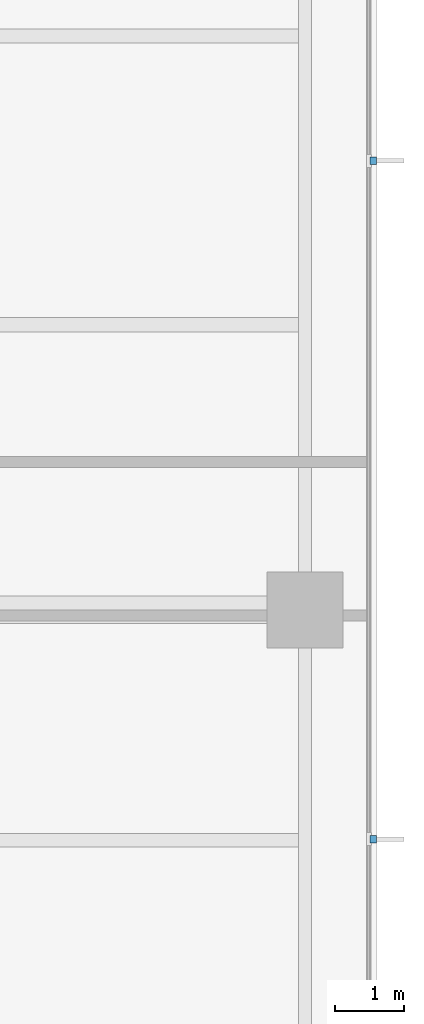
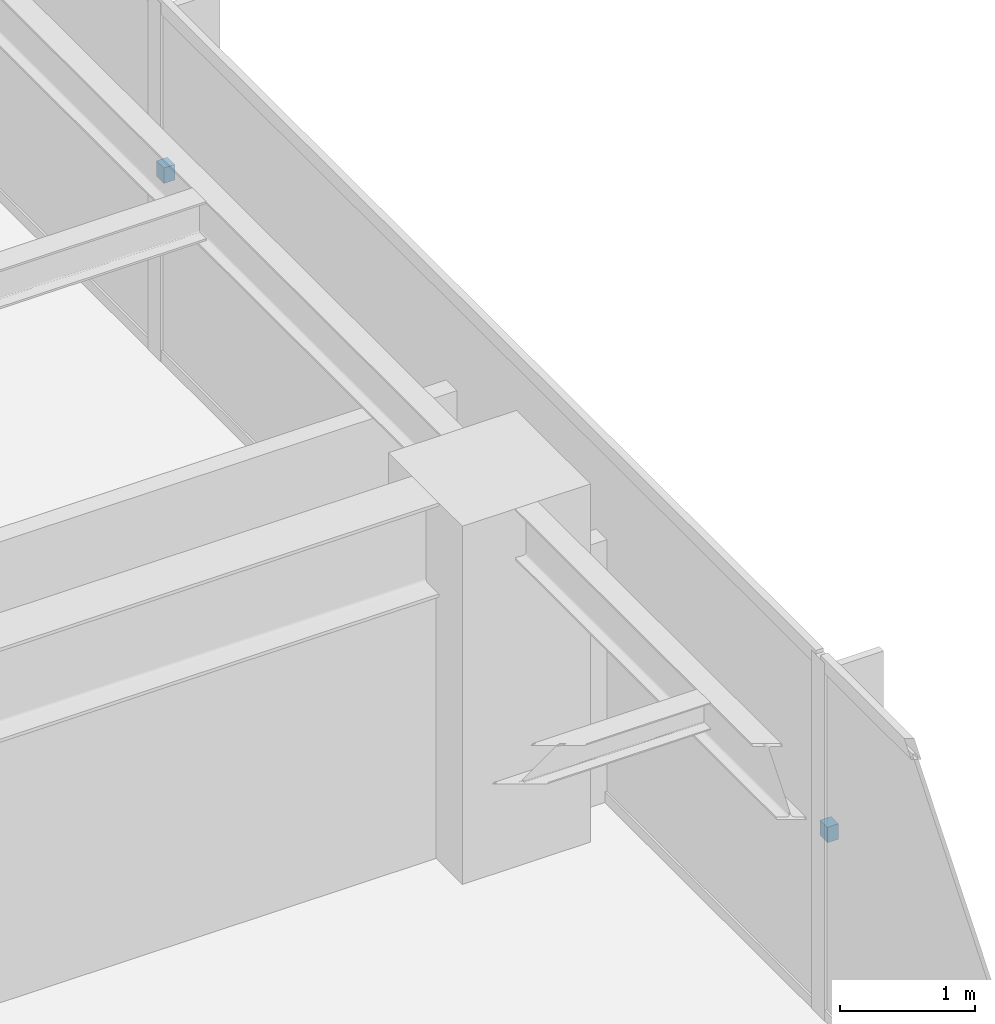
# One storey, part 12 of 14: 2 discrete accessories.
"""IFC4 building model written with IfcOpenShell, lengths in metres."""

from ifc_helpers import new_model, si_unit, direction, frame, origin, place, context, subcontext, project, spatial, polyline, outline, extrude, material, type_object, element, save


model = new_model("IFC4")

# Units and contexts
model_context = context("Model", 3, precision=1e-05, world=origin(), true_north=direction((0.0, 1.0)))
body_context = subcontext(model_context, "Body", "Model", "MODEL_VIEW")
ifc_project = project(units=[si_unit("LENGTHUNIT", "METRE"), si_unit("AREAUNIT", "SQUARE_METRE"), si_unit("VOLUMEUNIT", "CUBIC_METRE"), si_unit("PLANEANGLEUNIT", "RADIAN"), si_unit("MASSUNIT", "GRAM", prefix="KILO")], contexts=[model_context])

# Site, building, storey
site_placement = place(None, origin())
site = spatial("IfcSite", under=ifc_project, at=site_placement, CompositionType="ELEMENT")
building_placement = place(site_placement, origin())
building = spatial("IfcBuilding", under=site, at=building_placement, Name="Qalmaran Belvedere Hotel", CompositionType="ELEMENT")
storey_placement = place(building_placement, frame((0.0, 0.0, 152.60009765625)))
storey = spatial("IfcBuildingStorey", under=building, at=storey_placement, Name="L38", CompositionType="ELEMENT", Elevation=152.60009765625)

# Discrete accessories
ifc_material = material(Name="Stainless Steel 1.4401", Category="steel")
discrete_accessory_type = type_object("IfcDiscreteAccessoryType", Name="BRK-FIN-SS316", PredefinedType="BRACKET", material=ifc_material)
discrete_accessory_1_placement = place(storey_placement, frame((0.0, 0.0, 1.574951171875)))
element("IfcDiscreteAccessory", 1, at=discrete_accessory_1_placement, inside=storey, type_object=discrete_accessory_type, Name="L38 Fin Bracket 1", PredefinedType="BRACKET", context=body_context, shape_type="SweptSolid", body=[
    extrude(outline(polyline([(56.094970703125, 17.11181640625), (56.18994140625, 17.11181640625), (56.18994140625, 17.2216796875), (56.094970703125, 17.2216796875), (56.094970703125, 17.11181640625)])), origin(), (0.0, 0.0, 1.0), 0.139892578125),
])
discrete_accessory_2_placement = place(storey_placement, frame((0.0, 0.0, 1.574951171875)))
element("IfcDiscreteAccessory", 2, at=discrete_accessory_2_placement, inside=storey, type_object=discrete_accessory_type, Name="L38 Fin Bracket 2", PredefinedType="BRACKET", context=body_context, shape_type="SweptSolid", body=[
    extrude(outline(polyline([(56.094970703125, 26.978271484375), (56.18994140625, 26.978271484375), (56.18994140625, 27.08837890625), (56.094970703125, 27.08837890625), (56.094970703125, 26.978271484375)])), origin(), (0.0, 0.0, 1.0), 0.139892578125),
])

save(model, "model.ifc")
